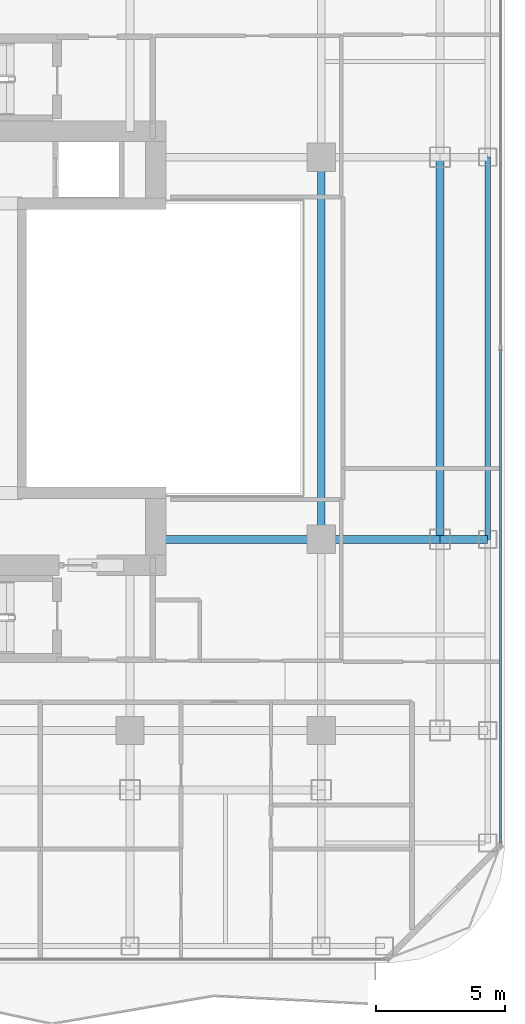
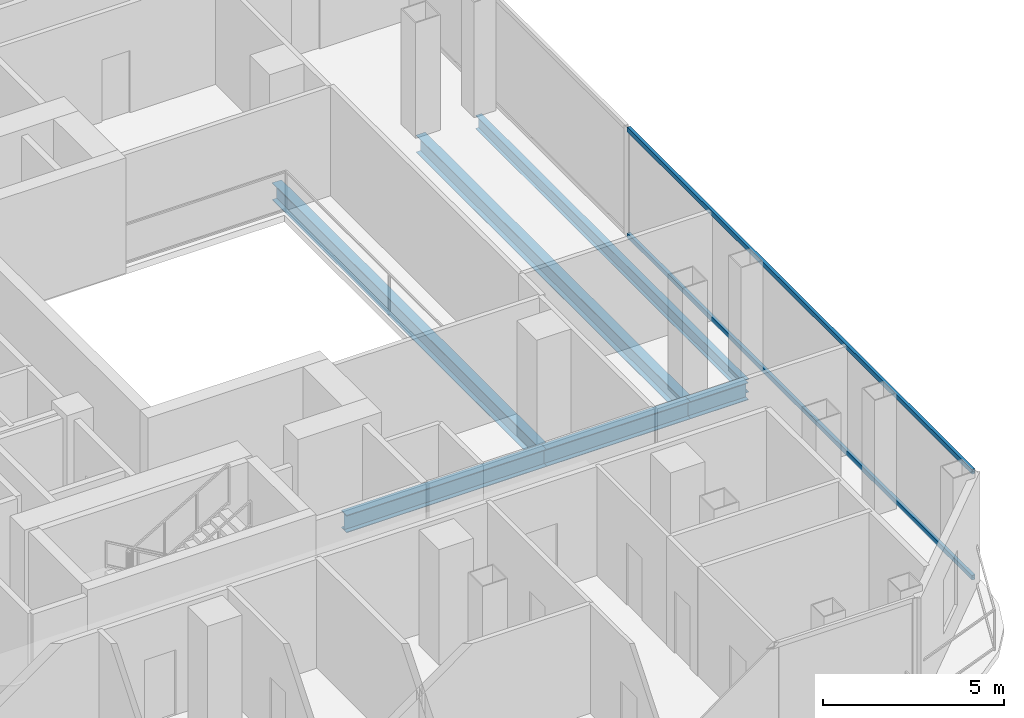
# One storey, part 8 of 27: 6 beams, 2 members, 1 element without a shape of its own.
"""IFC4 building model written with IfcOpenShell, lengths in metres."""

from ifc_helpers import new_model, si_unit, direction, frame, origin, origin_2d, place, context, subcontext, project, spatial, hollow_rectangle, i_section, extrude, material, layer, layer_set, material_profile, profile_set, type_object, element, aggregate, save


model = new_model("IFC4")

# Units and contexts
model_context = context("Model", 3, precision=1e-05, world=origin(), true_north=direction((0.0, 1.0)))
body_context = subcontext(model_context, "Body", "Model", "MODEL_VIEW")
ifc_project = project(units=[si_unit("LENGTHUNIT", "METRE"), si_unit("AREAUNIT", "SQUARE_METRE"), si_unit("VOLUMEUNIT", "CUBIC_METRE"), si_unit("PLANEANGLEUNIT", "RADIAN"), si_unit("MASSUNIT", "GRAM", prefix="KILO")], contexts=[model_context])

# Site, building, storey
site_placement = place(None, origin())
site = spatial("IfcSite", under=ifc_project, at=site_placement, CompositionType="ELEMENT")
building_placement = place(site_placement, origin())
building = spatial("IfcBuilding", under=site, at=building_placement, Name="Khorvyn Point Tower", CompositionType="ELEMENT")
storey_placement = place(building_placement, frame((0.0, 0.0, 179.699951171875)))
storey = spatial("IfcBuildingStorey", under=building, at=storey_placement, Name="L44", CompositionType="ELEMENT", Elevation=179.699951171875)

# Curtain wall, members
ifc_material_1 = material(Name="Anodised aluminium 6063-T6 and laminated Low-E glass", Category="aluminium")
ifc_layer = layer(ifc_material_1, 0.18994140625)
ifc_layer_set = layer_set([ifc_layer], Name="Stick-Built Acoustic Curtain Wall CW-SYS-03")
curtain_wall_type = type_object("IfcCurtainWallType", Name="Stick-Built Acoustic Curtain Wall CW-SYS-03", PredefinedType="NOTDEFINED", material=ifc_layer_set)
curtain_wall_placement = place(storey_placement, origin())
curtain_wall = element("IfcCurtainWall", 1, at=curtain_wall_placement, inside=storey, type_object=curtain_wall_type, Name="Curtain Wall", PredefinedType="NOTDEFINED")
ifc_material_2 = material(Name="Anodised aluminium 6063-T6", Category="aluminium")
ifc_material_profile_1 = material_profile(ifc_material_2, hollow_rectangle(XDim=0.10009765625, YDim=0.159912109375, WallThickness=0.00439453125, at=origin_2d()))
ifc_profile_set_1 = profile_set([ifc_material_profile_1], Name="Anodised aluminium 6063-T6 ALU-TRN-100x160")
member_type = type_object("IfcMemberType", Name="Anodised Aluminium 6063-T6 Transom ALU-TRN-100x160", PredefinedType="USERDEFINED", material=ifc_profile_set_1)
member_1_placement = place(storey_placement, frame((21.75, -0.050048828125, 0.050048828125), z_axis=(0.0, -1.0, 0.0), x_axis=(1.0, 0.0, 0.0)))
member_1 = element("IfcMember", 2, at=member_1_placement, type_object=member_type, Name="Transom", ObjectType="TRANSOM", PredefinedType="USERDEFINED", context=body_context, shape_type="SweptSolid", body=[
    extrude(hollow_rectangle(XDim=0.10009765625, YDim=0.159912109375, WallThickness=0.00439453125, at=origin_2d()), origin(), (0.0, 0.0, 1.0), 19.099853515625),
])
member_2_placement = place(storey_placement, frame((21.75, -0.050048828125, 3.630126953125), z_axis=(0.0, -1.0, 0.0), x_axis=(1.0, 0.0, 0.0)))
member_2 = element("IfcMember", 3, at=member_2_placement, type_object=member_type, Name="Transom", ObjectType="TRANSOM", PredefinedType="USERDEFINED", context=body_context, shape_type="SweptSolid", body=[
    extrude(hollow_rectangle(XDim=0.10009765625, YDim=0.159912109375, WallThickness=0.00439453125, at=origin_2d()), origin(), (0.0, 0.0, 1.0), 19.099853515625),
])
aggregate(curtain_wall, [member_1, member_2])

# Beams
ifc_material_3 = material(Name="Steel S355", Category="steel")
ifc_material_profile_2 = material_profile(ifc_material_3, i_section(OverallWidth=0.300048828125, OverallDepth=0.587890625, WebThickness=0.011962890625, FlangeThickness=0.02001953125, at=origin_2d()))
ifc_profile_set_2 = profile_set([ifc_material_profile_2], Name="Steel S355 H588x300x12x20")
beam_type_1 = type_object("IfcBeamType", Name="Steel S355 Beam H588x300x12x20", PredefinedType="BEAM", material=ifc_profile_set_2)
beam_1_placement = place(storey_placement, frame((8.39990234375, -7.39990234375, -0.513916015625), z_axis=(1.0, 0.0, 0.0), x_axis=(0.0, 1.0, 0.0)))
element("IfcBeam", 4, at=beam_1_placement, inside=storey, type_object=beam_type_1, Name="Beam", PredefinedType="BEAM", context=body_context, shape_type="SweptSolid", body=[
    extrude(i_section(OverallWidth=0.300048828125, OverallDepth=0.587890625, WebThickness=0.011962890625, FlangeThickness=0.02001953125, at=origin_2d()), origin(), (0.0, 0.0, 1.0), 6.400146484375),
])
beam_2_placement = place(storey_placement, frame((14.800048828125, -7.39990234375, -0.513916015625), z_axis=(1.0, 0.0, 0.0), x_axis=(0.0, 1.0, 0.0)))
element("IfcBeam", 5, at=beam_2_placement, inside=storey, type_object=beam_type_1, Name="Beam", PredefinedType="BEAM", context=body_context, shape_type="SweptSolid", body=[
    extrude(i_section(OverallWidth=0.300048828125, OverallDepth=0.587890625, WebThickness=0.011962890625, FlangeThickness=0.02001953125, at=origin_2d()), origin(), (0.0, 0.0, 1.0), 4.599853515625),
])
beam_3_placement = place(storey_placement, frame((19.39990234375, -7.39990234375, -0.513916015625), z_axis=(1.0, 0.0, 0.0), x_axis=(0.0, 1.0, 0.0)))
element("IfcBeam", 6, at=beam_3_placement, inside=storey, type_object=beam_type_1, Name="Beam", PredefinedType="BEAM", context=body_context, shape_type="SweptSolid", body=[
    extrude(i_section(OverallWidth=0.300048828125, OverallDepth=0.587890625, WebThickness=0.011962890625, FlangeThickness=0.02001953125, at=origin_2d()), origin(), (0.0, 0.0, 1.0), 1.85009765625),
])
for number, where, z_axis, x_axis, name in (
    (7, (14.800048828125, -7.39990234375, -0.513916015625), (0.0, 1.0, 0.0), (-1.0, 0.0, 0.0), "Beam"),
    (8, (19.39990234375, -7.39990234375, -0.513916015625), (0.0, 1.0, 0.0), (-1.0, 0.0, 0.0), "Beam"),
):
    element("IfcBeam", number, at=place(storey_placement, frame(where, z_axis=z_axis, x_axis=x_axis)), inside=storey, type_object=beam_type_1, Name=name, PredefinedType="BEAM", context=body_context, shape_type="SweptSolid", body=[
        extrude(i_section(OverallWidth=0.300048828125, OverallDepth=0.587890625, WebThickness=0.011962890625, FlangeThickness=0.02001953125, at=origin_2d()), origin(), (0.0, 0.0, 1.0), 14.7998046875),
    ])
ifc_material_profile_3 = material_profile(ifc_material_3, i_section(OverallWidth=0.199951171875, OverallDepth=0.449951171875, WebThickness=0.009033203125, FlangeThickness=0.013916015625, at=origin_2d()))
ifc_profile_set_3 = profile_set([ifc_material_profile_3], Name="Steel S355 H450x200x9x14")
beam_type_2 = type_object("IfcBeamType", Name="Steel S355 Spandrel H450x200x9x14", PredefinedType="SPANDREL", material=ifc_profile_set_3)
beam_4_placement = place(storey_placement, frame((21.25, -7.39990234375, -0.445068359375), z_axis=(0.0, 1.0, 0.0), x_axis=(-1.0, 0.0, 0.0)))
element("IfcBeam", 9, at=beam_4_placement, inside=storey, type_object=beam_type_2, Name="Beam", PredefinedType="SPANDREL", context=body_context, shape_type="SweptSolid", body=[
    extrude(i_section(OverallWidth=0.199951171875, OverallDepth=0.449951171875, WebThickness=0.009033203125, FlangeThickness=0.013916015625, at=origin_2d()), origin(), (0.0, 0.0, 1.0), 14.7998046875),
])

save(model, "model.ifc")
